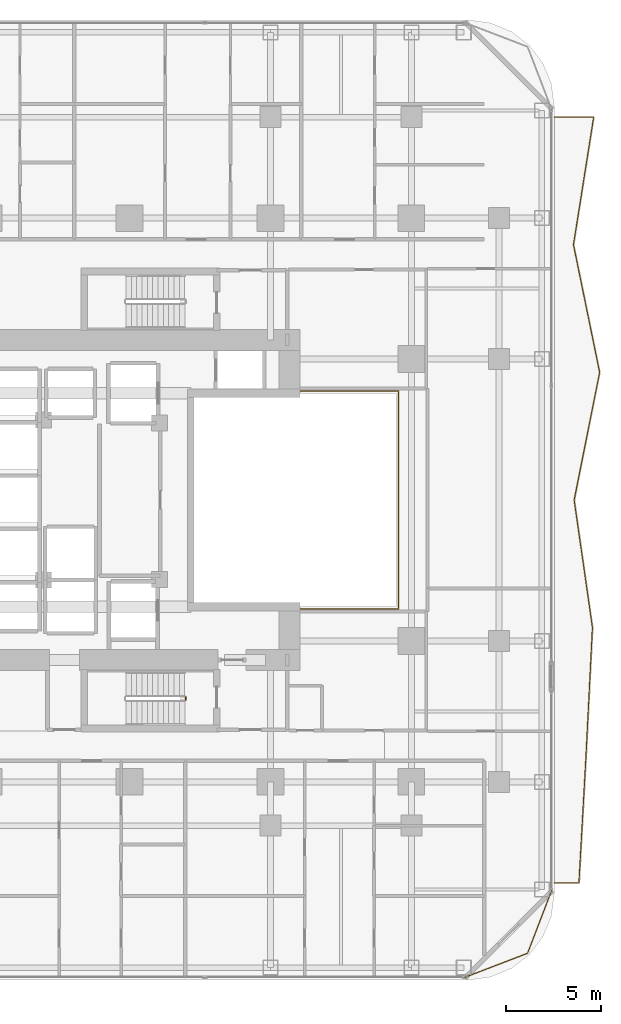
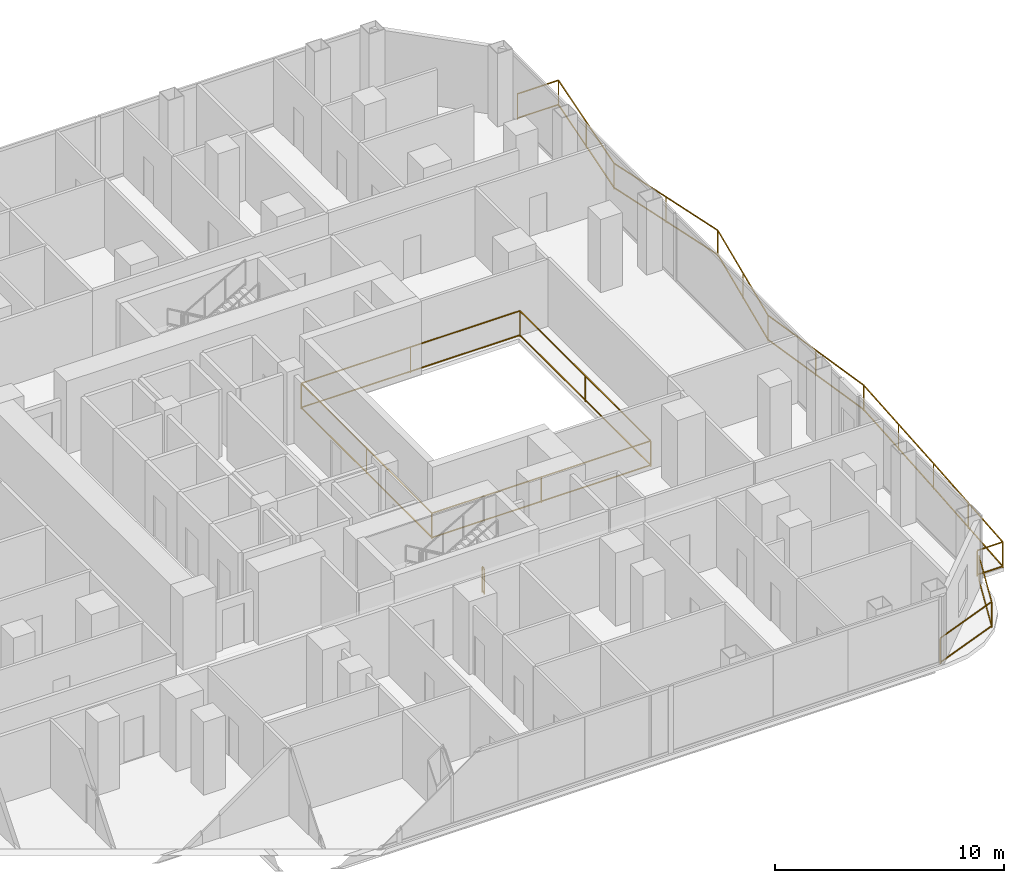
# One storey, part 27 of 29: 4 railings.
"""IFC4 building model written with IfcOpenShell, lengths in metres."""

import ifcopenshell
import ifcopenshell.guid

model = None  # the IFC model being written
_history = None  # IfcOwnerHistory: only IFC2X3 demands one
_inside = {}  # id of a spatial element -> (the spatial element, [elements in it])
_under = {}  # id of a project, library or spatial element -> (it, [spatial elements below it])
_declared = {}  # id of a project -> (the project, [libraries it declares])
_typed = {}  # id of a type object -> (the type object, [elements of that type])
_made_of = {}  # id of a material, layer set ... -> (it, [elements and type objects made of it])


def new_model(schema):
    """Start an empty IFC model of exactly this schema.

    Asked for "IFC4X3", IfcOpenShell would pick the latest addendum, in which some entities
    have other attributes; the version numbers below select the first issue.
    IFC2X3 requires an IfcOwnerHistory on every rooted entity: one is made here for all.
    """
    global model, _history
    if schema == "IFC4X3":
        model = ifcopenshell.file(schema_version=(4, 3, 0, 0))
    else:
        model = ifcopenshell.file(schema=schema)
    _inside.clear()
    _under.clear()
    _declared.clear()
    _typed.clear()
    _made_of.clear()
    _history = None
    if model.schema == "IFC2X3":
        org = make("IfcOrganization", Name="unknown")
        user = make(
            "IfcPersonAndOrganization",
            ThePerson=make("IfcPerson", FamilyName="unknown"),
            TheOrganization=org,
        )
        app = make(
            "IfcApplication",
            ApplicationDeveloper=org,
            Version="unknown",
            ApplicationFullName="unknown",
            ApplicationIdentifier="unknown",
        )
        _history = make(
            "IfcOwnerHistory",
            OwningUser=user,
            OwningApplication=app,
            ChangeAction="ADDED",
            CreationDate=0,
        )
    return model


def make(cls, **values):
    """One entity of the class cls with the attributes given. An attribute that is None is left unset."""
    return model.create_entity(
        cls, **{name: value for name, value in values.items() if value is not None}
    )


def rooted(cls, **values):
    """An entity with a GlobalId (a new one), such as an element, a storey or a relation."""
    return make(cls, GlobalId=ifcopenshell.guid.new(), OwnerHistory=_history, **values)


def si_unit(unit_type, name, prefix=None):
    """IfcSIUnit, for example si_unit("LENGTHUNIT", "METRE", prefix="MILLI")."""
    return make("IfcSIUnit", UnitType=unit_type, Prefix=prefix, Name=name)


def assignment(units):
    """IfcUnitAssignment: the units of a project."""
    return None if units is None else make("IfcUnitAssignment", Units=units)


def point(xyz):
    """IfcCartesianPoint."""
    return None if xyz is None else make("IfcCartesianPoint", Coordinates=xyz)


def direction(xyz):
    """IfcDirection."""
    return None if xyz is None else make("IfcDirection", DirectionRatios=xyz)


def frame(location, z_axis=None, x_axis=None):
    """IfcAxis2Placement3D, a coordinate frame: its origin and axes. An axis left out is left unset."""
    return make(
        "IfcAxis2Placement3D",
        Location=point(location),
        Axis=direction(z_axis),
        RefDirection=direction(x_axis),
    )


def frame_2d(location, x_axis=None):
    """IfcAxis2Placement2D, a coordinate frame in the plane: its origin and x axis."""
    return make(
        "IfcAxis2Placement2D", Location=point(location), RefDirection=direction(x_axis)
    )


def origin():
    """The frame at (0, 0, 0) with its axes left unset."""
    return frame((0.0, 0.0, 0.0))


def origin_2d():
    """The frame at (0, 0) in the plane with its x axis left unset."""
    return frame_2d((0.0, 0.0))


def place(relative_to, where):
    """IfcLocalPlacement: puts the frame where relative to a parent placement (None: the world)."""
    return make(
        "IfcLocalPlacement", PlacementRelTo=relative_to, RelativePlacement=where
    )


def context(
    kind, dimensions, precision=None, world=None, true_north=None, identifier=None
):
    """IfcGeometricRepresentationContext, for example the 3D "Model" context."""
    return make(
        "IfcGeometricRepresentationContext",
        ContextIdentifier=identifier,
        ContextType=kind,
        CoordinateSpaceDimension=dimensions,
        Precision=precision,
        WorldCoordinateSystem=world,
        TrueNorth=true_north,
    )


def subcontext(parent, identifier, kind, view, scale=None):
    """IfcGeometricRepresentationSubContext, for example "Body" below "Model"."""
    return make(
        "IfcGeometricRepresentationSubContext",
        ContextIdentifier=identifier,
        ContextType=kind,
        ParentContext=parent,
        TargetScale=scale,
        TargetView=view,
    )


def project(units=None, contexts=None):
    """IfcProject with its units and contexts."""
    return rooted(
        "IfcProject",
        Name="project",
        RepresentationContexts=contexts,
        UnitsInContext=assignment(units),
    )


def spatial(cls, under=None, at=None, **own):
    """A site, building, storey or space (cls), placed at a placement, below another one or the project."""
    s = rooted(cls, ObjectPlacement=at, **own)
    if under is not None:
        _under.setdefault(under.id(), (under, []))[1].append(s)
    return s


def profile(cls, at=None, kind="AREA", **sizes):
    """A parametric profile (cls). Its sizes go by their IFC names, for example OverallWidth=200.0."""
    return make(cls, ProfileType=kind, Position=at, **sizes)


def rectangle(**sizes):
    """IfcRectangleProfileDef."""
    return profile("IfcRectangleProfileDef", **sizes)


def extrude(swept, where, along, depth):
    """IfcExtrudedAreaSolid: the profile swept, set in the frame where, extruded along a direction by depth."""
    return make(
        "IfcExtrudedAreaSolid",
        SweptArea=swept,
        Position=where,
        ExtrudedDirection=direction(along),
        Depth=depth,
    )


def shape(context_of_items, identifier, shape_type, items):
    """IfcShapeRepresentation: the items that make up one representation, for example the "Body"."""
    return make(
        "IfcShapeRepresentation",
        ContextOfItems=context_of_items,
        RepresentationIdentifier=identifier,
        RepresentationType=shape_type,
        Items=items,
    )


def material(Name=None, Category=None):
    """IfcMaterial."""
    return make("IfcMaterial", Name=Name, Category=Category)


def made_of(thing, what):
    """Note that an element or type object is made of a material, layer set ...; save() writes the relation."""
    if what is not None:
        _made_of.setdefault(what.id(), (what, []))[1].append(thing)
    return thing


def type_object(cls, material=None, **own):
    """A type object (cls), such as IfcWallType, which elements share."""
    return made_of(rooted(cls, **own), material)


def element(
    cls,
    number,
    at=None,
    inside=None,
    cuts=None,
    type_object=None,
    material=None,
    context=None,
    identifier="Body",
    shape_type=None,
    held_by="IfcProductDefinitionShape",
    body=None,
    shapes=None,
    **own,
):
    """One element of the class cls, such as IfcWall. Its Tag is "e" and its number.

    at: its placement. inside: the storey or other place that contains it. cuts: it is an
    opening in that element (IfcRelVoidsElement). A single representation is given by context,
    identifier, shape_type and body (its items); several are given by shapes. held_by: the class
    of the entity that holds the representations. save() writes the other relations.
    """
    e = rooted(cls, Tag="e%d" % number, ObjectPlacement=at, **own)
    if body is not None:
        shapes = [shape(context, identifier, shape_type, body)]
    if shapes is not None:
        e.Representation = make(held_by, Representations=shapes)
    if inside is not None:
        _inside.setdefault(inside.id(), (inside, []))[1].append(e)
    if cuts is not None:
        rooted(
            "IfcRelVoidsElement", RelatingBuildingElement=cuts, RelatedOpeningElement=e
        )
    if type_object is not None:
        _typed.setdefault(type_object.id(), (type_object, []))[1].append(e)
    return made_of(e, material)


def aggregate(whole, parts):
    """IfcRelAggregates: a whole, such as a stair, and the parts it consists of."""
    return rooted("IfcRelAggregates", RelatingObject=whole, RelatedObjects=parts)


def save(model, path):
    """Write the relations noted so far, then the file.

    IfcRelAggregates (storeys below a building ...), IfcRelContainedInSpatialStructure (elements
    in a storey), IfcRelDefinesByType, IfcRelAssociatesMaterial and IfcRelDeclares: one each for
    every whole, place, type object, material and project.
    """
    for whole, parts in _under.values():
        aggregate(whole, parts)
    for where, things in _inside.values():
        rooted(
            "IfcRelContainedInSpatialStructure",
            RelatedElements=things,
            RelatingStructure=where,
        )
    for kind, things in _typed.values():
        rooted("IfcRelDefinesByType", RelatedObjects=things, RelatingType=kind)
    for what, things in _made_of.values():
        rooted("IfcRelAssociatesMaterial", RelatedObjects=things, RelatingMaterial=what)
    for by, libraries in _declared.values():
        rooted("IfcRelDeclares", RelatingContext=by, RelatedDefinitions=libraries)
    model.write(path)


model = new_model("IFC4")

# Units and contexts
model_context = context("Model", 3, precision=1e-05, world=origin(), true_north=direction((0.0, 1.0)))
body_context = subcontext(model_context, "Body", "Model", "MODEL_VIEW")
ifc_project = project(units=[si_unit("LENGTHUNIT", "METRE"), si_unit("AREAUNIT", "SQUARE_METRE"), si_unit("VOLUMEUNIT", "CUBIC_METRE"), si_unit("PLANEANGLEUNIT", "RADIAN"), si_unit("MASSUNIT", "GRAM", prefix="KILO")], contexts=[model_context])

# Site, building, storey
site_placement = place(None, origin())
site = spatial("IfcSite", under=ifc_project, at=site_placement, CompositionType="ELEMENT")
building_placement = place(site_placement, origin())
building = spatial("IfcBuilding", under=site, at=building_placement, Name="Khorvyn Point Tower", CompositionType="ELEMENT")
storey_placement = place(building_placement, frame((0.0, 0.0, 73.5)))
storey = spatial("IfcBuildingStorey", under=building, at=storey_placement, Name="L19", CompositionType="ELEMENT", Elevation=73.5)

# Railings
ifc_material_1 = material(Name="Stainless steel 1.4401 and laminated glass", Category="steel")
railing_type_1 = type_object("IfcRailingType", Name="Crystal Atrium Smoke-Rated Perimeter Guardrail 1400", PredefinedType="GUARDRAIL", material=ifc_material_1)
railing_1_placement = place(storey_placement, frame((3.080078125, -5.719970703125, 0.0)))
element("IfcRailing", 1, at=railing_1_placement, inside=storey, type_object=railing_type_1, Name="L19 Crystal Atrium Perimeter Guardrail", PredefinedType="GUARDRAIL", context=body_context, shape_type="SweptSolid", body=[
    extrude(rectangle(XDim=0.048095703125, YDim=0.048095703125, at=origin_2d()), frame((0.0, 0.0, 1.3759765625), z_axis=(1.0, 0.0, 0.0), x_axis=(0.0, 1.0, 0.0)), (0.0, 0.0, 1.0), 11.0400390625),
    extrude(rectangle(XDim=0.048095703125, YDim=0.048095703125, at=origin_2d()), frame((0.0, 0.0, 0.080078125), z_axis=(1.0, 0.0, 0.0), x_axis=(0.0, 1.0, 0.0)), (0.0, 0.0, 1.0), 11.0400390625),
    extrude(rectangle(XDim=0.048095703125, YDim=0.048095703125, at=origin_2d()), frame((11.0400390625, 0.0, 1.3759765625), z_axis=(0.0, 1.0, 0.0), x_axis=(-1.0, 0.0, 0.0)), (0.0, 0.0, 1.0), 11.43994140625),
    extrude(rectangle(XDim=0.048095703125, YDim=0.048095703125, at=origin_2d()), frame((11.0400390625, 0.0, 0.080078125), z_axis=(0.0, 1.0, 0.0), x_axis=(-1.0, 0.0, 0.0)), (0.0, 0.0, 1.0), 11.43994140625),
    extrude(rectangle(XDim=0.048095703125, YDim=0.048095703125, at=origin_2d()), frame((11.0400390625, 11.43994140625, 1.3759765625), z_axis=(-1.0, 0.0, 0.0), x_axis=(0.0, -1.0, 0.0)), (0.0, 0.0, 1.0), 11.0400390625),
    extrude(rectangle(XDim=0.048095703125, YDim=0.048095703125, at=origin_2d()), frame((11.0400390625, 11.43994140625, 0.080078125), z_axis=(-1.0, 0.0, 0.0), x_axis=(0.0, -1.0, 0.0)), (0.0, 0.0, 1.0), 11.0400390625),
    extrude(rectangle(XDim=0.048095703125, YDim=0.048095703125, at=origin_2d()), frame((0.0, 11.43994140625, 1.3759765625), z_axis=(0.0, -1.0, 0.0), x_axis=(1.0, 0.0, 0.0)), (0.0, 0.0, 1.0), 11.409912109375),
    extrude(rectangle(XDim=0.048095703125, YDim=0.048095703125, at=origin_2d()), frame((0.0, 11.43994140625, 0.080078125), z_axis=(0.0, -1.0, 0.0), x_axis=(1.0, 0.0, 0.0)), (0.0, 0.0, 1.0), 11.409912109375),
    extrude(rectangle(XDim=0.0419921875, YDim=0.0419921875, at=origin_2d()), origin(), (0.0, 0.0, 1.0), 1.351806640625),
    extrude(rectangle(XDim=0.0419921875, YDim=0.0419921875, at=origin_2d()), frame((5.52001953125, 0.0, 0.0)), (0.0, 0.0, 1.0), 1.351806640625),
    extrude(rectangle(XDim=0.0419921875, YDim=0.0419921875, at=origin_2d()), frame((11.0400390625, 0.0, 0.0)), (0.0, 0.0, 1.0), 1.351806640625),
    extrude(rectangle(XDim=0.0419921875, YDim=0.0419921875, at=origin_2d()), frame((11.0400390625, 5.719970703125, 0.0)), (0.0, 0.0, 1.0), 1.351806640625),
    extrude(rectangle(XDim=0.0419921875, YDim=0.0419921875, at=origin_2d()), frame((11.0400390625, 11.43994140625, 0.0)), (0.0, 0.0, 1.0), 1.351806640625),
    extrude(rectangle(XDim=0.0419921875, YDim=0.0419921875, at=origin_2d()), frame((5.52001953125, 11.43994140625, 0.0)), (0.0, 0.0, 1.0), 1.351806640625),
    extrude(rectangle(XDim=0.0419921875, YDim=0.0419921875, at=origin_2d()), frame((0.0, 11.43994140625, 0.0)), (0.0, 0.0, 1.0), 1.351806640625),
    extrude(rectangle(XDim=0.0419921875, YDim=0.0419921875, at=origin_2d()), frame((0.0, 5.73486328125, 0.0)), (0.0, 0.0, 1.0), 1.351806640625),
    extrude(rectangle(XDim=0.0419921875, YDim=0.0419921875, at=origin_2d()), frame((0.0, 0.030029296875, 0.0)), (0.0, 0.0, 1.0), 1.351806640625),
])
ifc_material_2 = material(Name="Anodised aluminium 6063-T6 and laminated safety glass", Category="aluminium")
railing_type_2 = type_object("IfcRailingType", Name="Laminated Glass and Aluminium Balcony Guardrail 1400", PredefinedType="BALUSTRADE", material=ifc_material_2)
railing_2_placement = place(storey_placement, frame((17.57080078125, -25.073974609375, 0.0)))
element("IfcRailing", 2, at=railing_2_placement, inside=storey, type_object=railing_type_2, Name="L19 Rounded Corner Edge Guardrail SE", PredefinedType="BALUSTRADE", context=body_context, shape_type="SweptSolid", body=[
    extrude(rectangle(XDim=0.048095703125, YDim=0.048095703125, at=origin_2d()), frame((0.0, 0.0, 1.3759765625), z_axis=(0.933583807283, 0.358359142172, 0.0), x_axis=(-0.358359142172, 0.933583807283, 0.0)), (0.0, 0.0, 1.0), 3.56298828125),
    extrude(rectangle(XDim=0.048095703125, YDim=0.048095703125, at=origin_2d()), frame((0.0, 0.0, 0.080078125), z_axis=(0.933583807283, 0.358359142172, 0.0), x_axis=(-0.358359142172, 0.933583807283, 0.0)), (0.0, 0.0, 1.0), 3.56298828125),
    extrude(rectangle(XDim=0.048095703125, YDim=0.048095703125, at=origin_2d()), frame((3.326416015625, 1.27685546875, 1.3759765625), z_axis=(0.358359142172, 0.933583807283, 0.0), x_axis=(-0.933583807283, 0.358359142172, 0.0)), (0.0, 0.0, 1.0), 3.56298828125),
    extrude(rectangle(XDim=0.048095703125, YDim=0.048095703125, at=origin_2d()), frame((3.326416015625, 1.27685546875, 0.080078125), z_axis=(0.358359142172, 0.933583807283, 0.0), x_axis=(-0.933583807283, 0.358359142172, 0.0)), (0.0, 0.0, 1.0), 3.56298828125),
    extrude(rectangle(XDim=0.0419921875, YDim=0.0419921875, at=origin_2d()), origin(), (0.0, 0.0, 1.0), 1.351806640625),
    extrude(rectangle(XDim=0.0419921875, YDim=0.0419921875, at=origin_2d()), frame((3.326416015625, 1.27685546875, 0.0)), (0.0, 0.0, 1.0), 1.351806640625),
    extrude(rectangle(XDim=0.0419921875, YDim=0.0419921875, at=origin_2d()), frame((4.603271484375, 4.603271484375, 0.0)), (0.0, 0.0, 1.0), 1.351806640625),
])
railing_3_placement = place(storey_placement, frame((22.300048828125, -20.10009765625, 0.0)))
element("IfcRailing", 3, at=railing_3_placement, inside=storey, type_object=railing_type_2, Name="L19 East Balcony Guardrail", PredefinedType="BALUSTRADE", context=body_context, shape_type="SweptSolid", body=[
    extrude(rectangle(XDim=0.048095703125, YDim=0.048095703125, at=origin_2d()), frame((0.0, 0.0, 1.3759765625), z_axis=(1.0, 0.0, 0.0), x_axis=(0.0, 1.0, 0.0)), (0.0, 0.0, 1.0), 1.294921875),
    extrude(rectangle(XDim=0.048095703125, YDim=0.048095703125, at=origin_2d()), frame((0.0, 0.0, 0.080078125), z_axis=(1.0, 0.0, 0.0), x_axis=(0.0, 1.0, 0.0)), (0.0, 0.0, 1.0), 1.294921875),
    extrude(rectangle(XDim=0.048095703125, YDim=0.048095703125, at=origin_2d()), frame((1.294921875, 0.0, 1.3759765625), z_axis=(0.055445839712, 0.99846169624, 0.0), x_axis=(-0.99846169624, 0.055445839713, 0.0)), (0.0, 0.0, 1.0), 6.71044921875),
    extrude(rectangle(XDim=0.048095703125, YDim=0.048095703125, at=origin_2d()), frame((1.294921875, 0.0, 0.080078125), z_axis=(0.055445839712, 0.99846169624, 0.0), x_axis=(-0.99846169624, 0.055445839713, 0.0)), (0.0, 0.0, 1.0), 6.71044921875),
    extrude(rectangle(XDim=0.048095703125, YDim=0.048095703125, at=origin_2d()), frame((1.6669921875, 6.7001953125, 1.3759765625), z_axis=(0.050149985773, 0.998741697801, 0.0), x_axis=(-0.998741697801, 0.050149985773, 0.0)), (0.0, 0.0, 1.0), 6.70849609375),
    extrude(rectangle(XDim=0.048095703125, YDim=0.048095703125, at=origin_2d()), frame((1.6669921875, 6.7001953125, 0.080078125), z_axis=(0.050149985773, 0.998741697801, 0.0), x_axis=(-0.998741697801, 0.050149985773, 0.0)), (0.0, 0.0, 1.0), 6.70849609375),
    extrude(rectangle(XDim=0.048095703125, YDim=0.048095703125, at=origin_2d()), frame((2.00341796875, 13.400146484375, 1.3759765625), z_axis=(-0.141724348985, 0.989906161666, 0.0), x_axis=(-0.989906161666, -0.141724348985, 0.0)), (0.0, 0.0, 1.0), 6.768310546875),
    extrude(rectangle(XDim=0.048095703125, YDim=0.048095703125, at=origin_2d()), frame((2.00341796875, 13.400146484375, 0.080078125), z_axis=(-0.141724348985, 0.989906161666, 0.0), x_axis=(-0.989906161666, -0.141724348985, 0.0)), (0.0, 0.0, 1.0), 6.768310546875),
    extrude(rectangle(XDim=0.048095703125, YDim=0.048095703125, at=origin_2d()), frame((1.044189453125, 20.10009765625, 1.3759765625), z_axis=(0.195717542461, 0.980660309981, 0.0), x_axis=(-0.980660309981, 0.195717542461, 0.0)), (0.0, 0.0, 1.0), 6.83203125),
    extrude(rectangle(XDim=0.048095703125, YDim=0.048095703125, at=origin_2d()), frame((1.044189453125, 20.10009765625, 0.080078125), z_axis=(0.195717542461, 0.980660309981, 0.0), x_axis=(-0.980660309981, 0.195717542461, 0.0)), (0.0, 0.0, 1.0), 6.83203125),
    extrude(rectangle(XDim=0.048095703125, YDim=0.048095703125, at=origin_2d()), frame((2.38134765625, 26.800048828125, 1.3759765625), z_axis=(-0.200898470326, 0.979612068434, 0.0), x_axis=(-0.979612068434, -0.200898470326, 0.0)), (0.0, 0.0, 1.0), 6.83935546875),
    extrude(rectangle(XDim=0.048095703125, YDim=0.048095703125, at=origin_2d()), frame((2.38134765625, 26.800048828125, 0.080078125), z_axis=(-0.200898470326, 0.979612068434, 0.0), x_axis=(-0.979612068434, -0.200898470326, 0.0)), (0.0, 0.0, 1.0), 6.83935546875),
    extrude(rectangle(XDim=0.048095703125, YDim=0.048095703125, at=origin_2d()), frame((1.00732421875, 33.5, 1.3759765625), z_axis=(0.156374689128, 0.987697806315, 0.0), x_axis=(-0.987697806315, 0.156374689128, 0.0)), (0.0, 0.0, 1.0), 6.78369140625),
    extrude(rectangle(XDim=0.048095703125, YDim=0.048095703125, at=origin_2d()), frame((1.00732421875, 33.5, 0.080078125), z_axis=(0.156374689128, 0.987697806315, 0.0), x_axis=(-0.987697806315, 0.156374689128, 0.0)), (0.0, 0.0, 1.0), 6.78369140625),
    extrude(rectangle(XDim=0.048095703125, YDim=0.048095703125, at=origin_2d()), frame((2.068115234375, 40.2001953125, 1.3759765625), z_axis=(-1.0, 0.0, 0.0), x_axis=(0.0, -1.0, 0.0)), (0.0, 0.0, 1.0), 2.068115234375),
    extrude(rectangle(XDim=0.048095703125, YDim=0.048095703125, at=origin_2d()), frame((2.068115234375, 40.2001953125, 0.080078125), z_axis=(-1.0, 0.0, 0.0), x_axis=(0.0, -1.0, 0.0)), (0.0, 0.0, 1.0), 2.068115234375),
    extrude(rectangle(XDim=0.0419921875, YDim=0.0419921875, at=origin_2d()), origin(), (0.0, 0.0, 1.0), 1.351806640625),
    extrude(rectangle(XDim=0.0419921875, YDim=0.0419921875, at=origin_2d()), frame((1.294921875, 0.0, 0.0)), (0.0, 0.0, 1.0), 1.351806640625),
    extrude(rectangle(XDim=0.0419921875, YDim=0.0419921875, at=origin_2d()), frame((1.48095703125, 3.35009765625, 0.0)), (0.0, 0.0, 1.0), 1.351806640625),
    extrude(rectangle(XDim=0.0419921875, YDim=0.0419921875, at=origin_2d()), frame((1.6669921875, 6.7001953125, 0.0)), (0.0, 0.0, 1.0), 1.351806640625),
    extrude(rectangle(XDim=0.0419921875, YDim=0.0419921875, at=origin_2d()), frame((1.835205078125, 10.05029296875, 0.0)), (0.0, 0.0, 1.0), 1.351806640625),
    extrude(rectangle(XDim=0.0419921875, YDim=0.0419921875, at=origin_2d()), frame((2.00341796875, 13.400146484375, 0.0)), (0.0, 0.0, 1.0), 1.351806640625),
    extrude(rectangle(XDim=0.0419921875, YDim=0.0419921875, at=origin_2d()), frame((1.52392578125, 16.75, 0.0)), (0.0, 0.0, 1.0), 1.351806640625),
    extrude(rectangle(XDim=0.0419921875, YDim=0.0419921875, at=origin_2d()), frame((1.044189453125, 20.10009765625, 0.0)), (0.0, 0.0, 1.0), 1.351806640625),
    extrude(rectangle(XDim=0.0419921875, YDim=0.0419921875, at=origin_2d()), frame((1.712890625, 23.4501953125, 0.0)), (0.0, 0.0, 1.0), 1.351806640625),
    extrude(rectangle(XDim=0.0419921875, YDim=0.0419921875, at=origin_2d()), frame((2.38134765625, 26.800048828125, 0.0)), (0.0, 0.0, 1.0), 1.351806640625),
    extrude(rectangle(XDim=0.0419921875, YDim=0.0419921875, at=origin_2d()), frame((1.6943359375, 30.14990234375, 0.0)), (0.0, 0.0, 1.0), 1.351806640625),
    extrude(rectangle(XDim=0.0419921875, YDim=0.0419921875, at=origin_2d()), frame((1.00732421875, 33.5, 0.0)), (0.0, 0.0, 1.0), 1.351806640625),
    extrude(rectangle(XDim=0.0419921875, YDim=0.0419921875, at=origin_2d()), frame((1.53759765625, 36.85009765625, 0.0)), (0.0, 0.0, 1.0), 1.351806640625),
    extrude(rectangle(XDim=0.0419921875, YDim=0.0419921875, at=origin_2d()), frame((2.068115234375, 40.2001953125, 0.0)), (0.0, 0.0, 1.0), 1.351806640625),
    extrude(rectangle(XDim=0.0419921875, YDim=0.0419921875, at=origin_2d()), frame((0.0, 40.2001953125, 0.0)), (0.0, 0.0, 1.0), 1.351806640625),
])
ifc_material_3 = material(Name="Stainless steel 1.4301", Category="steel")
railing_type_3 = type_object("IfcRailingType", Name="Stainless Steel 304 Stair Well Guardrail 1400", PredefinedType="GUARDRAIL", material=ifc_material_3)
railing_4_placement = place(storey_placement, frame((2.949951171875, -10.340087890625, 0.0)))
element("IfcRailing", 4, at=railing_4_placement, inside=storey, type_object=railing_type_3, Name="L19 ST-01 stair guard 4", PredefinedType="GUARDRAIL", context=body_context, shape_type="SweptSolid", body=[
    extrude(rectangle(XDim=0.048095703125, YDim=0.048095703125, at=origin_2d()), frame((0.0, 0.0, 1.3759765625), z_axis=(0.0, -1.0, 0.0), x_axis=(1.0, 0.0, 0.0)), (0.0, 0.0, 1.0), 0.159912109375),
    extrude(rectangle(XDim=0.048095703125, YDim=0.048095703125, at=origin_2d()), frame((0.0, 0.0, 0.080078125), z_axis=(0.0, -1.0, 0.0), x_axis=(1.0, 0.0, 0.0)), (0.0, 0.0, 1.0), 0.159912109375),
    extrude(rectangle(XDim=0.0419921875, YDim=0.0419921875, at=origin_2d()), origin(), (0.0, 0.0, 1.0), 1.351806640625),
    extrude(rectangle(XDim=0.0419921875, YDim=0.0419921875, at=origin_2d()), frame((0.0, -0.159912109375, 0.0)), (0.0, 0.0, 1.0), 1.351806640625),
])

save(model, "model.ifc")
